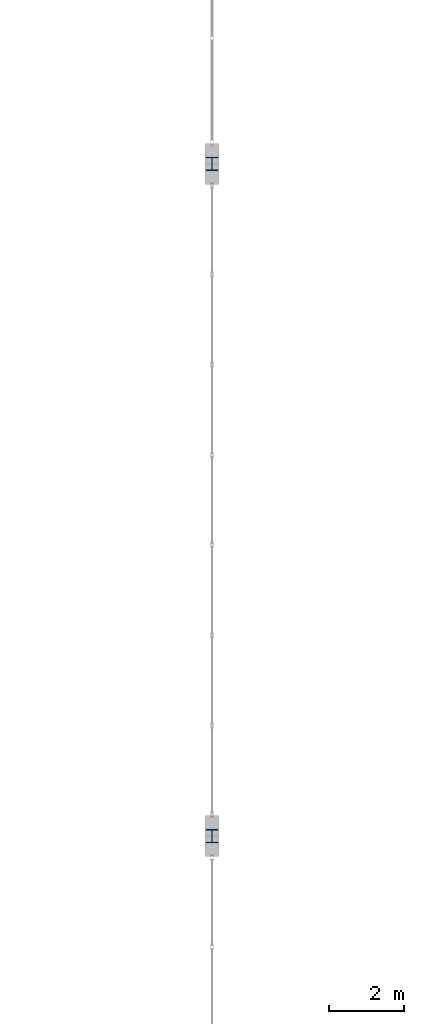
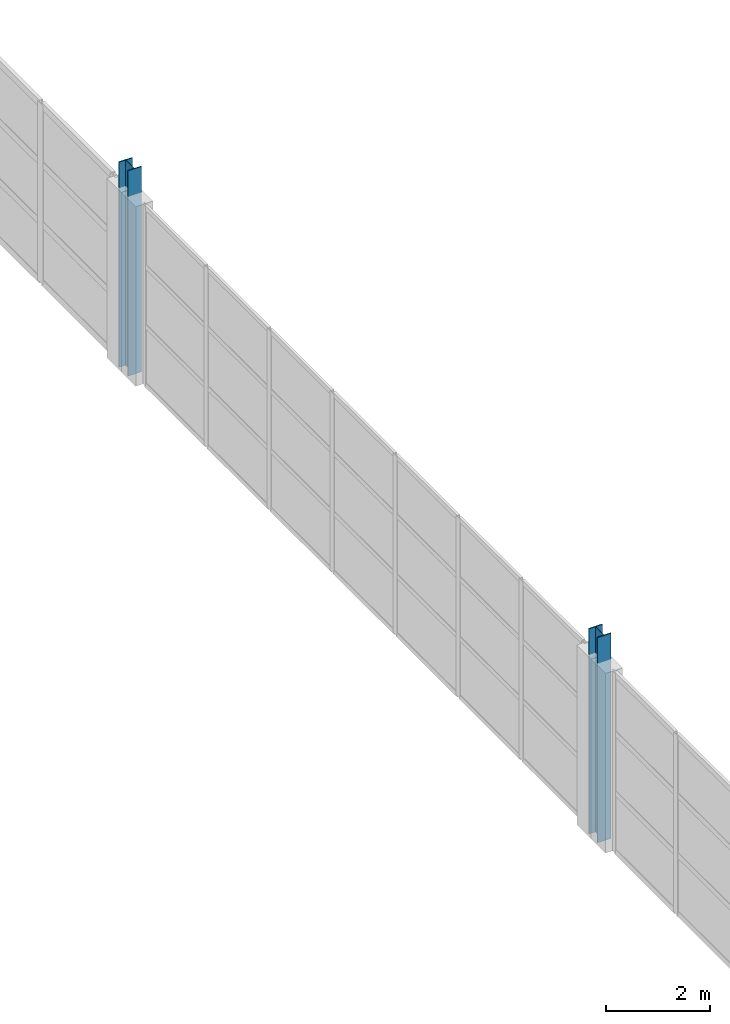
# One storey, part 2 of 86: 2 columns.
"""IFC4 building model written with IfcOpenShell, lengths in metres."""

from ifc_helpers import new_model, si_unit, direction, frame, origin, origin_2d, place, context, subcontext, project, spatial, i_section, extrude, material, material_profile, profile_set, type_object, element, save


model = new_model("IFC4")

# Units and contexts
model_context = context("Model", 3, precision=1e-05, world=origin(), true_north=direction((0.0, 1.0)))
body_context = subcontext(model_context, "Body", "Model", "MODEL_VIEW")
ifc_project = project(units=[si_unit("LENGTHUNIT", "METRE"), si_unit("AREAUNIT", "SQUARE_METRE"), si_unit("VOLUMEUNIT", "CUBIC_METRE"), si_unit("PLANEANGLEUNIT", "RADIAN"), si_unit("MASSUNIT", "GRAM", prefix="KILO")], contexts=[model_context])

# Site, building, storey
site_placement = place(None, origin())
site = spatial("IfcSite", under=ifc_project, at=site_placement, CompositionType="ELEMENT")
building_placement = place(site_placement, origin())
building = spatial("IfcBuilding", under=site, at=building_placement, Name="Zilviju Railside Exhibition Hall", CompositionType="ELEMENT")
storey_placement = place(building_placement, frame((0.0, 0.0, 12.60009765625)))
storey = spatial("IfcBuildingStorey", under=building, at=storey_placement, Name="L04", CompositionType="ELEMENT", Elevation=12.60009765625)

# Columns
ifc_material = material(Name="Steel S355J2", Category="steel")
ifc_material_profile = material_profile(ifc_material, i_section(OverallWidth=0.300048828125, OverallDepth=0.360107421875, WebThickness=0.012451171875, FlangeThickness=0.0224609375, at=origin_2d()), Name="HEB 360")
ifc_profile_set = profile_set([ifc_material_profile], Name="Steel S355J2")
column_type = type_object("IfcColumnType", Name="COL-ST-HEB360", PredefinedType="COLUMN", material=ifc_profile_set)
for number, where, z_axis, x_axis, name in (
    (1, (78.0, 102.0, 0.0), (0.0, 0.0, 1.0), (1.0, 0.0, 0.0), "Structural Column L04 (78.0, 102.0)"),
    (2, (78.0, 120.0, 0.0), (0.0, 0.0, 1.0), (1.0, 0.0, 0.0), "Structural Column L04 (78.0, 120.0)"),
):
    element("IfcColumn", number, at=place(storey_placement, frame(where, z_axis=z_axis, x_axis=x_axis)), inside=storey, type_object=column_type, Name=name, PredefinedType="COLUMN", context=body_context, shape_type="SweptSolid", body=[
        extrude(i_section(OverallWidth=0.300048828125, OverallDepth=0.360107421875, WebThickness=0.012451171875, FlangeThickness=0.0224609375, at=origin_2d()), origin(), (0.0, 0.0, 1.0), 4.7998046875),
    ])

save(model, "model.ifc")
